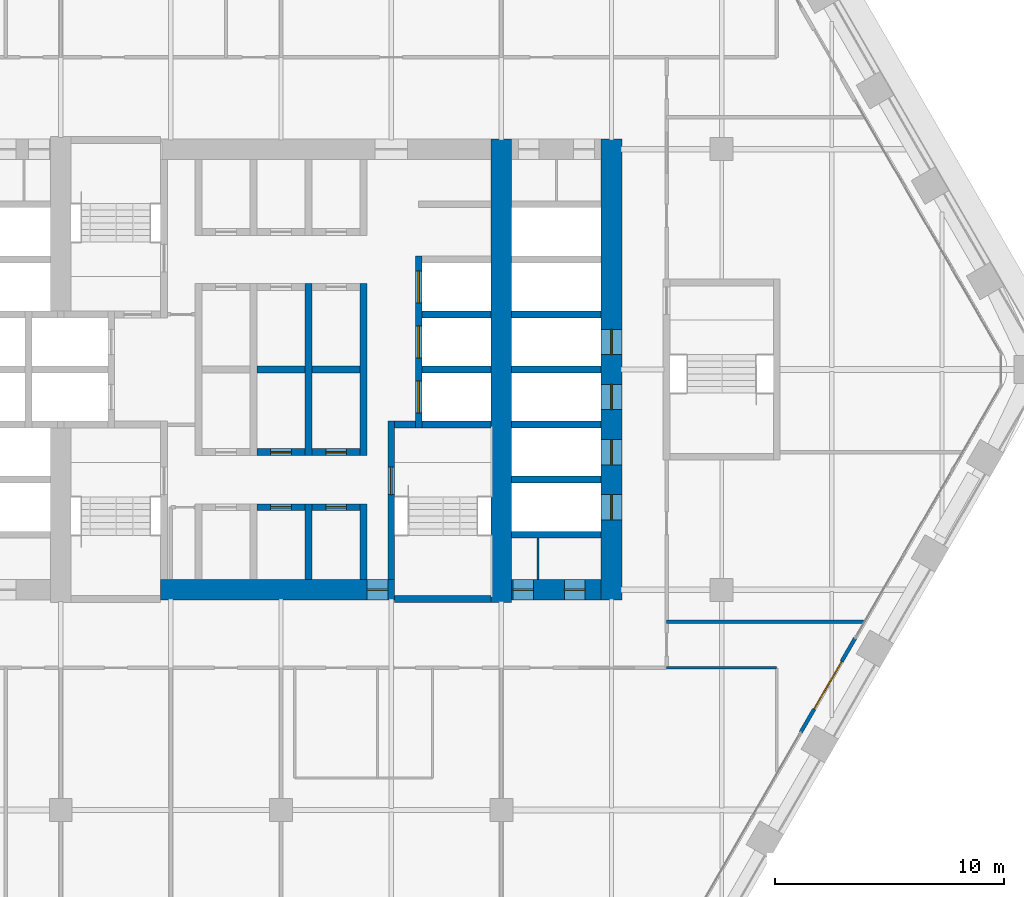
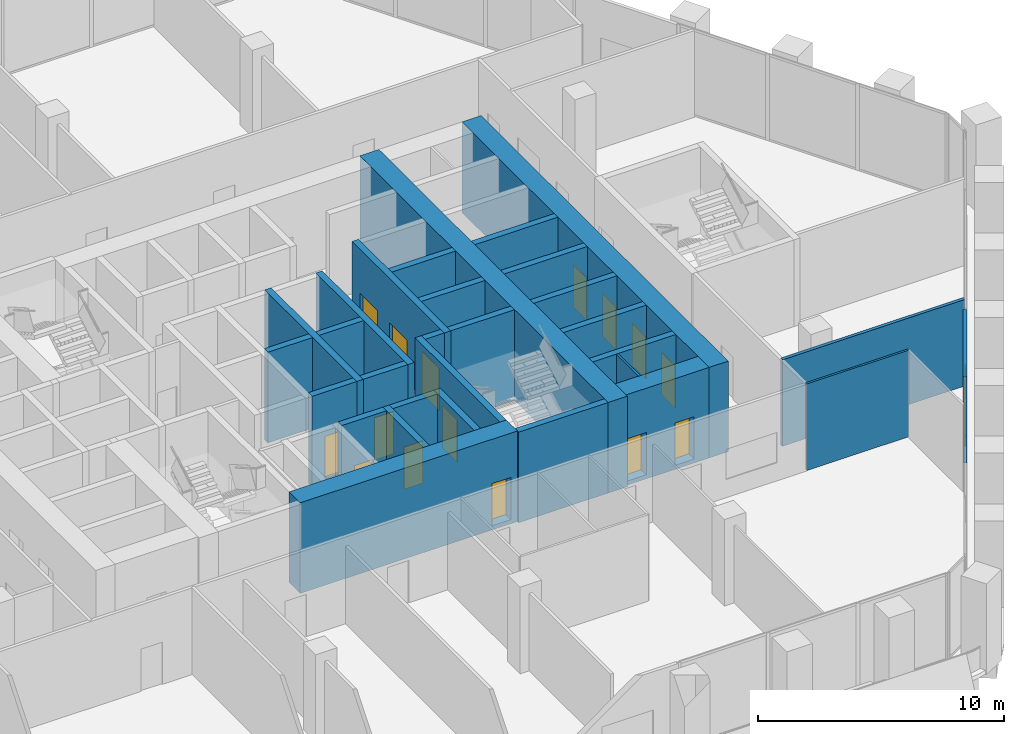
# One storey, part 14 of 22: 30 walls, 16 doors, 16 openings.
"""IFC4 building model written with IfcOpenShell, lengths in metres."""

from ifc_helpers import new_model, si_unit, direction, frame, frame_2d, origin, place, context, subcontext, project, spatial, rectangle, extrude, material, layer, layer_set, type_object, element, fill, save


model = new_model("IFC4")

# Units and contexts
model_context = context("Model", 3, precision=1e-05, world=origin(), true_north=direction((0.0, 1.0)))
body_context = subcontext(model_context, "Body", "Model", "MODEL_VIEW")
ifc_project = project(units=[si_unit("LENGTHUNIT", "METRE"), si_unit("AREAUNIT", "SQUARE_METRE"), si_unit("VOLUMEUNIT", "CUBIC_METRE"), si_unit("PLANEANGLEUNIT", "RADIAN"), si_unit("MASSUNIT", "GRAM", prefix="KILO")], contexts=[model_context])

# Site, building, storey
site_placement = place(None, origin())
site = spatial("IfcSite", under=ifc_project, at=site_placement, CompositionType="ELEMENT")
building_placement = place(site_placement, origin())
building = spatial("IfcBuilding", under=site, at=building_placement, Name="Kolab Exchange Tower", CompositionType="ELEMENT")
storey_placement = place(building_placement, frame((0.0, 0.0, 82.39990234375)))
storey = spatial("IfcBuildingStorey", under=building, at=storey_placement, Name="L15", CompositionType="ELEMENT", Elevation=82.39990234375)

# Wall, opening, door
ifc_material_1 = material(Name="Concrete C70/85", Category="concrete")
ifc_layer_1 = layer(ifc_material_1, 0.89990234375)
ifc_layer_set_1 = layer_set([ifc_layer_1], Name="Concrete C70/85")
wall_type_1 = type_object("IfcWallType", Name="CORE WALL 900 C70/85", PredefinedType="SHEAR", material=ifc_layer_set_1)
wall_1_placement = place(storey_placement, frame((-5.25, -9.60009765625, -0.199951171875), z_axis=(0.0, 0.0, 1.0), x_axis=(1.0, 0.0, 0.0)))
wall_1 = element("IfcWall", 1, at=wall_1_placement, inside=storey, type_object=wall_type_1, Name="wall/L15/core/003", PredefinedType="SHEAR", context=body_context, shape_type="SweptSolid", body=[
    extrude(rectangle(XDim=10.199951171875, YDim=0.89990234375, at=frame_2d((5.10009765625, 0.0))), origin(), (0.0, 0.0, 1.0), 4.5),
])
opening_1_placement = place(wall_1_placement, frame((9.0, 0.0, 0.199951171875)))
opening_1 = element("IfcOpeningElement", 2, at=opening_1_placement, cuts=wall_1, Name="Opening D6-216", PredefinedType="OPENING", context=body_context, shape_type="SweptSolid", body=[
    extrude(rectangle(XDim=0.89990234375, YDim=2.10009765625, at=frame_2d((0.449951171875, 1.050048828125))), frame((0.0, 0.4599609375, 0.0), z_axis=(0.0, -1.0, 0.0), x_axis=(1.0, 0.0, 0.0)), (0.0, 0.0, 1.0), 0.919921875),
])
ifc_material_2 = material(Name="Steel S235", Category="steel")
door_type_1 = type_object("IfcDoorType", Name="CORE DOOR 900 EI 120", OperationType="SINGLE_SWING_LEFT", PredefinedType="DOOR", material=ifc_material_2)
door_1_placement = place(opening_1_placement, origin())
door_1 = element("IfcDoor", 3, at=door_1_placement, inside=storey, type_object=door_type_1, Name="Core lobby door", OperationType="SINGLE_SWING_LEFT", OverallHeight=2.10009765625, OverallWidth=0.89990234375, PredefinedType="DOOR", context=body_context, shape_type="SweptSolid", body=[
    extrude(rectangle(XDim=0.89990234375, YDim=2.10009765625, at=frame_2d((0.449951171875, 1.050048828125))), frame((0.0, 0.02490234375, 0.0), z_axis=(0.0, -1.0, 0.0), x_axis=(1.0, 0.0, 0.0)), (0.0, 0.0, 1.0), 0.050048828125),
])
fill(opening_1, door_1)

# Wall, openings, doors
wall_2_placement = place(storey_placement, frame((10.050048828125, -9.60009765625, -0.199951171875), z_axis=(0.0, 0.0, 1.0), x_axis=(1.0, 0.0, 0.0)))
wall_2 = element("IfcWall", 4, at=wall_2_placement, inside=storey, type_object=wall_type_1, Name="wall/L15/core/004", PredefinedType="SHEAR", context=body_context, shape_type="SweptSolid", body=[
    extrude(rectangle(XDim=3.89990234375, YDim=0.89990234375, at=frame_2d((1.949951171875, 0.0))), origin(), (0.0, 0.0, 1.0), 4.5),
])
opening_2_placement = place(wall_2_placement, frame((0.050048828125, 0.0, 0.199951171875)))
opening_2 = element("IfcOpeningElement", 5, at=opening_2_placement, cuts=wall_2, Name="Opening D6-219", PredefinedType="OPENING", context=body_context, shape_type="SweptSolid", body=[
    extrude(rectangle(XDim=0.89990234375, YDim=2.10009765625, at=frame_2d((0.449951171875, 1.050048828125))), frame((0.0, 0.4599609375, 0.0), z_axis=(0.0, -1.0, 0.0), x_axis=(1.0, 0.0, 0.0)), (0.0, 0.0, 1.0), 0.919921875),
])
opening_3_placement = place(wall_2_placement, frame((2.300048828125, 0.0, 0.199951171875)))
opening_3 = element("IfcOpeningElement", 6, at=opening_3_placement, cuts=wall_2, Name="Opening D6-220", PredefinedType="OPENING", context=body_context, shape_type="SweptSolid", body=[
    extrude(rectangle(XDim=0.89990234375, YDim=2.10009765625, at=frame_2d((0.449951171875, 1.050048828125))), frame((0.0, 0.4599609375, 0.0), z_axis=(0.0, -1.0, 0.0), x_axis=(1.0, 0.0, 0.0)), (0.0, 0.0, 1.0), 0.919921875),
])
door_2_placement = place(opening_2_placement, origin())
door_2 = element("IfcDoor", 7, at=door_2_placement, inside=storey, type_object=door_type_1, Name="Service room door", OperationType="SINGLE_SWING_RIGHT", OverallHeight=2.10009765625, OverallWidth=0.89990234375, PredefinedType="DOOR", context=body_context, shape_type="SweptSolid", body=[
    extrude(rectangle(XDim=0.89990234375, YDim=2.10009765625, at=frame_2d((0.449951171875, 1.050048828125))), frame((0.0, 0.02490234375, 0.0), z_axis=(0.0, -1.0, 0.0), x_axis=(1.0, 0.0, 0.0)), (0.0, 0.0, 1.0), 0.050048828125),
])
fill(opening_2, door_2)
door_3_placement = place(opening_3_placement, origin())
door_3 = element("IfcDoor", 8, at=door_3_placement, inside=storey, type_object=door_type_1, Name="Service room door", OperationType="SINGLE_SWING_RIGHT", OverallHeight=2.10009765625, OverallWidth=0.89990234375, PredefinedType="DOOR", context=body_context, shape_type="SweptSolid", body=[
    extrude(rectangle(XDim=0.89990234375, YDim=2.10009765625, at=frame_2d((0.449951171875, 1.050048828125))), frame((0.0, 0.02490234375, 0.0), z_axis=(0.0, -1.0, 0.0), x_axis=(1.0, 0.0, 0.0)), (0.0, 0.0, 1.0), 0.050048828125),
])
fill(opening_3, door_3)

# Wall
wall_3_placement = place(storey_placement, frame((9.60009765625, -10.14990234375, -0.199951171875), z_axis=(0.0, 0.0, 1.0), x_axis=(0.0, 1.0, 0.0)))
element("IfcWall", 9, at=wall_3_placement, inside=storey, type_object=wall_type_1, Name="wall/L15/core/080", PredefinedType="SHEAR", context=body_context, shape_type="SweptSolid", body=[
    extrude(rectangle(XDim=20.199951171875, YDim=0.89990234375, at=frame_2d((10.10009765625, 0.0))), origin(), (0.0, 0.0, 1.0), 4.5),
])

# Wall, openings, doors
wall_4_placement = place(storey_placement, frame((14.39990234375, -10.050048828125, -0.199951171875), z_axis=(0.0, 0.0, 1.0), x_axis=(0.0, 1.0, 0.0)))
wall_4 = element("IfcWall", 10, at=wall_4_placement, inside=storey, type_object=wall_type_1, Name="wall/L15/core/081", PredefinedType="SHEAR", context=body_context, shape_type="SweptSolid", body=[
    extrude(rectangle(XDim=20.10009765625, YDim=0.89990234375, at=frame_2d((10.050048828125, 0.0))), origin(), (0.0, 0.0, 1.0), 4.5),
])
opening_4_placement = place(wall_4_placement, frame((3.5, 0.0, 0.199951171875)))
opening_4 = element("IfcOpeningElement", 11, at=opening_4_placement, cuts=wall_4, Name="Opening LD1-069", PredefinedType="OPENING", context=body_context, shape_type="SweptSolid", body=[
    extrude(rectangle(XDim=1.10009765625, YDim=2.10009765625, at=frame_2d((0.550048828125, 1.050048828125))), frame((0.0, 0.4599609375, 0.0), z_axis=(0.0, -1.0, 0.0), x_axis=(1.0, 0.0, 0.0)), (0.0, 0.0, 1.0), 0.919921875),
])
opening_5_placement = place(wall_4_placement, frame((5.89990234375, 0.0, 0.199951171875)))
opening_5 = element("IfcOpeningElement", 12, at=opening_5_placement, cuts=wall_4, Name="Opening LD1-070", PredefinedType="OPENING", context=body_context, shape_type="SweptSolid", body=[
    extrude(rectangle(XDim=1.10009765625, YDim=2.10009765625, at=frame_2d((0.550048828125, 1.050048828125))), frame((0.0, 0.4599609375, 0.0), z_axis=(0.0, -1.0, 0.0), x_axis=(1.0, 0.0, 0.0)), (0.0, 0.0, 1.0), 0.919921875),
])
opening_6_placement = place(wall_4_placement, frame((8.300048828125, 0.0, 0.199951171875)))
opening_6 = element("IfcOpeningElement", 13, at=opening_6_placement, cuts=wall_4, Name="Opening LD1-071", PredefinedType="OPENING", context=body_context, shape_type="SweptSolid", body=[
    extrude(rectangle(XDim=1.10009765625, YDim=2.10009765625, at=frame_2d((0.550048828125, 1.050048828125))), frame((0.0, 0.4599609375, 0.0), z_axis=(0.0, -1.0, 0.0), x_axis=(1.0, 0.0, 0.0)), (0.0, 0.0, 1.0), 0.919921875),
])
opening_7_placement = place(wall_4_placement, frame((10.699951171875, 0.0, 0.199951171875)))
opening_7 = element("IfcOpeningElement", 14, at=opening_7_placement, cuts=wall_4, Name="Opening LD1-072", PredefinedType="OPENING", context=body_context, shape_type="SweptSolid", body=[
    extrude(rectangle(XDim=1.10009765625, YDim=2.10009765625, at=frame_2d((0.550048828125, 1.050048828125))), frame((0.0, 0.4599609375, 0.0), z_axis=(0.0, -1.0, 0.0), x_axis=(1.0, 0.0, 0.0)), (0.0, 0.0, 1.0), 0.919921875),
])
ifc_material_3 = material(Name="Stainless steel 316", Category="steel")
door_type_2 = type_object("IfcDoorType", Name="LANDING DOOR 1100 PASSENGER", OperationType="DOUBLE_DOOR_SLIDING", PredefinedType="DOOR", material=ifc_material_3)
door_4_placement = place(opening_4_placement, origin())
door_4 = element("IfcDoor", 15, at=door_4_placement, inside=storey, type_object=door_type_2, Name="Landing door LR1", OperationType="DOUBLE_DOOR_SLIDING", OverallHeight=2.10009765625, OverallWidth=1.10009765625, PredefinedType="DOOR", context=body_context, shape_type="SweptSolid", body=[
    extrude(rectangle(XDim=1.10009765625, YDim=2.10009765625, at=frame_2d((0.550048828125, 1.050048828125))), frame((0.0, 0.02490234375, 0.0), z_axis=(0.0, -1.0, 0.0), x_axis=(1.0, 0.0, 0.0)), (0.0, 0.0, 1.0), 0.050048828125),
])
fill(opening_4, door_4)
door_5_placement = place(opening_5_placement, origin())
door_5 = element("IfcDoor", 16, at=door_5_placement, inside=storey, type_object=door_type_2, Name="Landing door LR2", OperationType="DOUBLE_DOOR_SLIDING", OverallHeight=2.10009765625, OverallWidth=1.10009765625, PredefinedType="DOOR", context=body_context, shape_type="SweptSolid", body=[
    extrude(rectangle(XDim=1.10009765625, YDim=2.10009765625, at=frame_2d((0.550048828125, 1.050048828125))), frame((0.0, 0.02490234375, 0.0), z_axis=(0.0, -1.0, 0.0), x_axis=(1.0, 0.0, 0.0)), (0.0, 0.0, 1.0), 0.050048828125),
])
fill(opening_5, door_5)
door_6_placement = place(opening_6_placement, origin())
door_6 = element("IfcDoor", 17, at=door_6_placement, inside=storey, type_object=door_type_2, Name="Landing door LR3", OperationType="DOUBLE_DOOR_SLIDING", OverallHeight=2.10009765625, OverallWidth=1.10009765625, PredefinedType="DOOR", context=body_context, shape_type="SweptSolid", body=[
    extrude(rectangle(XDim=1.10009765625, YDim=2.10009765625, at=frame_2d((0.550048828125, 1.050048828125))), frame((0.0, 0.02490234375, 0.0), z_axis=(0.0, -1.0, 0.0), x_axis=(1.0, 0.0, 0.0)), (0.0, 0.0, 1.0), 0.050048828125),
])
fill(opening_6, door_6)
door_7_placement = place(opening_7_placement, origin())
door_7 = element("IfcDoor", 18, at=door_7_placement, inside=storey, type_object=door_type_2, Name="Landing door LR4", OperationType="DOUBLE_DOOR_SLIDING", OverallHeight=2.10009765625, OverallWidth=1.10009765625, PredefinedType="DOOR", context=body_context, shape_type="SweptSolid", body=[
    extrude(rectangle(XDim=1.10009765625, YDim=2.10009765625, at=frame_2d((0.550048828125, 1.050048828125))), frame((0.0, 0.02490234375, 0.0), z_axis=(0.0, -1.0, 0.0), x_axis=(1.0, 0.0, 0.0)), (0.0, 0.0, 1.0), 0.050048828125),
])
fill(opening_7, door_7)

# Wall, opening, door
ifc_material_4 = material(Name="Aluminium EN AW-6063 T6", Category="aluminium")
ifc_layer_2 = layer(ifc_material_4, 0.159912109375)
ifc_layer_set_2 = layer_set([ifc_layer_2], Name="Aluminium EN AW-6063 T6")
wall_type_2 = type_object("IfcWallType", Name="DOOR SURROUND WALL 160 ALUMINIUM FRAMED", PredefinedType="PARTITIONING", material=ifc_layer_set_2)
wall_5_placement = place(storey_placement, frame((25.0166015625, -11.706787109375, 0.0), z_axis=(0.0, 0.0, 1.0), x_axis=(-0.499978080042, -0.866038058908, 0.0)))
wall_5 = element("IfcWall", 19, at=wall_5_placement, inside=storey, type_object=wall_type_2, Name="Door surround wall", PredefinedType="PARTITIONING", context=body_context, shape_type="SweptSolid", body=[
    extrude(rectangle(XDim=4.739990234375, YDim=0.159912109375, at=frame_2d((2.3701171875, 0.0))), origin(), (0.0, 0.0, 1.0), 4.300048828125),
])
opening_8_placement = place(wall_5_placement, frame((1.169921875, 0.0, 0.0)))
opening_8 = element("IfcOpeningElement", 20, at=opening_8_placement, cuts=wall_5, Name="Opening GD1-036", PredefinedType="OPENING", context=body_context, shape_type="SweptSolid", body=[
    extrude(rectangle(XDim=2.39990234375, YDim=2.39990234375, at=frame_2d((1.199951171875, 1.199951171875))), frame((0.0, 0.08984375, 0.0), z_axis=(0.0, -1.0, 0.0), x_axis=(1.0, 0.0, 0.0)), (0.0, 0.0, 1.0), 0.179931640625),
])
door_type_3 = type_object("IfcDoorType", Name="LOGGIA SLIDING GLASS DOOR 2400 X 2400", OperationType="DOUBLE_DOOR_SINGLE_SWING", PredefinedType="DOOR", material=ifc_material_4)
door_8_placement = place(opening_8_placement, origin())
door_8 = element("IfcDoor", 21, at=door_8_placement, inside=storey, type_object=door_type_3, Name="Loggia door", OperationType="DOUBLE_DOOR_SLIDING", OverallHeight=2.39990234375, OverallWidth=2.39990234375, PredefinedType="DOOR", context=body_context, shape_type="SweptSolid", body=[
    extrude(rectangle(XDim=2.39990234375, YDim=2.39990234375, at=frame_2d((1.199951171875, 1.199951171875))), frame((0.0, 0.02490234375, 0.0), z_axis=(0.0, -1.0, 0.0), x_axis=(1.0, 0.0, 0.0)), (0.0, 0.0, 1.0), 0.050048828125),
])
fill(opening_8, door_8)

# Wall
ifc_material_5 = material(Name="Concrete C50/60", Category="concrete")
ifc_layer_3 = layer(ifc_material_5, 0.300048828125)
ifc_layer_set_3 = layer_set([ifc_layer_3], Name="Concrete C50/60")
wall_type_3 = type_object("IfcWallType", Name="LIFT SHAFT WALL 300 C50/60", PredefinedType="STANDARD", material=ifc_layer_set_3)
wall_6_placement = place(storey_placement, frame((10.050048828125, -7.199951171875, -0.199951171875), z_axis=(0.0, 0.0, 1.0), x_axis=(1.0, 0.0, 0.0)))
element("IfcWall", 22, at=wall_6_placement, inside=storey, type_object=wall_type_3, Name="wall/L15/core/006", PredefinedType="STANDARD", context=body_context, shape_type="SweptSolid", body=[
    extrude(rectangle(XDim=3.89990234375, YDim=0.300048828125, at=frame_2d((1.949951171875, 0.0))), origin(), (0.0, 0.0, 1.0), 4.5),
])

# Wall, opening, door
wall_7_placement = place(storey_placement, frame((-1.050048828125, -6.0, -0.199951171875), z_axis=(0.0, 0.0, 1.0), x_axis=(1.0, 0.0, 0.0)))
wall_7 = element("IfcWall", 23, at=wall_7_placement, inside=storey, type_object=wall_type_3, Name="wall/L15/core/008", PredefinedType="STANDARD", context=body_context, shape_type="SweptSolid", body=[
    extrude(rectangle(XDim=2.10009765625, YDim=0.300048828125, at=frame_2d((1.050048828125, 0.0))), origin(), (0.0, 0.0, 1.0), 4.5),
])
opening_9_placement = place(wall_7_placement, frame((0.60009765625, 0.0, 0.199951171875)))
opening_9 = element("IfcOpeningElement", 24, at=opening_9_placement, cuts=wall_7, Name="Opening D6-201", PredefinedType="OPENING", context=body_context, shape_type="SweptSolid", body=[
    extrude(rectangle(XDim=0.89990234375, YDim=2.10009765625, at=frame_2d((0.449951171875, 1.050048828125))), frame((0.0, 0.16015625, 0.0), z_axis=(0.0, -1.0, 0.0), x_axis=(1.0, 0.0, 0.0)), (0.0, 0.0, 1.0), 0.320068359375),
])
door_9_placement = place(opening_9_placement, frame((0.89990234375, 0.0, 0.0), z_axis=(0.0, 0.0, 1.0), x_axis=(-1.0, 0.0, 0.0)))
door_9 = element("IfcDoor", 25, at=door_9_placement, inside=storey, type_object=door_type_1, Name="Service room door", OperationType="SINGLE_SWING_LEFT", OverallHeight=2.10009765625, OverallWidth=0.89990234375, PredefinedType="DOOR", context=body_context, shape_type="SweptSolid", body=[
    extrude(rectangle(XDim=0.89990234375, YDim=2.10009765625, at=frame_2d((0.449951171875, 1.050048828125))), frame((0.0, 0.02490234375, 0.0), z_axis=(0.0, -1.0, 0.0), x_axis=(1.0, 0.0, 0.0)), (0.0, 0.0, 1.0), 0.050048828125),
])
fill(opening_9, door_9)

wall_8_placement = place(storey_placement, frame((1.35009765625, -6.0, -0.199951171875), z_axis=(0.0, 0.0, 1.0), x_axis=(1.0, 0.0, 0.0)))
wall_8 = element("IfcWall", 26, at=wall_8_placement, inside=storey, type_object=wall_type_3, Name="wall/L15/core/009", PredefinedType="STANDARD", context=body_context, shape_type="SweptSolid", body=[
    extrude(rectangle(XDim=2.099853515625, YDim=0.300048828125, at=frame_2d((1.0498046875, 0.0))), origin(), (0.0, 0.0, 1.0), 4.5),
])
opening_10_placement = place(wall_8_placement, frame((0.60009765625, 0.0, 0.199951171875)))
opening_10 = element("IfcOpeningElement", 27, at=opening_10_placement, cuts=wall_8, Name="Opening D6-200", PredefinedType="OPENING", context=body_context, shape_type="SweptSolid", body=[
    extrude(rectangle(XDim=0.89990234375, YDim=2.10009765625, at=frame_2d((0.449951171875, 1.050048828125))), frame((0.0, 0.16015625, 0.0), z_axis=(0.0, -1.0, 0.0), x_axis=(1.0, 0.0, 0.0)), (0.0, 0.0, 1.0), 0.320068359375),
])
door_10_placement = place(opening_10_placement, frame((0.89990234375, 0.0, 0.0), z_axis=(0.0, 0.0, 1.0), x_axis=(-1.0, 0.0, 0.0)))
door_10 = element("IfcDoor", 28, at=door_10_placement, inside=storey, type_object=door_type_1, Name="Service room door", OperationType="SINGLE_SWING_RIGHT", OverallHeight=2.10009765625, OverallWidth=0.89990234375, PredefinedType="DOOR", context=body_context, shape_type="SweptSolid", body=[
    extrude(rectangle(XDim=0.89990234375, YDim=2.10009765625, at=frame_2d((0.449951171875, 1.050048828125))), frame((0.0, 0.02490234375, 0.0), z_axis=(0.0, -1.0, 0.0), x_axis=(1.0, 0.0, 0.0)), (0.0, 0.0, 1.0), 0.050048828125),
])
fill(opening_10, door_10)

# Wall
wall_9_placement = place(storey_placement, frame((10.050048828125, -4.800048828125, -0.199951171875), z_axis=(0.0, 0.0, 1.0), x_axis=(1.0, 0.0, 0.0)))
element("IfcWall", 29, at=wall_9_placement, inside=storey, type_object=wall_type_3, Name="wall/L15/core/011", PredefinedType="STANDARD", context=body_context, shape_type="SweptSolid", body=[
    extrude(rectangle(XDim=3.89990234375, YDim=0.300048828125, at=frame_2d((1.949951171875, 0.0))), origin(), (0.0, 0.0, 1.0), 4.5),
])

# Wall, opening, door
wall_10_placement = place(storey_placement, frame((-1.050048828125, -3.60009765625, -0.199951171875), z_axis=(0.0, 0.0, 1.0), x_axis=(1.0, 0.0, 0.0)))
wall_10 = element("IfcWall", 30, at=wall_10_placement, inside=storey, type_object=wall_type_3, Name="wall/L15/core/015", PredefinedType="STANDARD", context=body_context, shape_type="SweptSolid", body=[
    extrude(rectangle(XDim=2.10009765625, YDim=0.300048828125, at=frame_2d((1.050048828125, 0.0))), origin(), (0.0, 0.0, 1.0), 4.5),
])
opening_11_placement = place(wall_10_placement, frame((0.60009765625, 0.0, 0.199951171875)))
opening_11 = element("IfcOpeningElement", 31, at=opening_11_placement, cuts=wall_10, Name="Opening D6-215", PredefinedType="OPENING", context=body_context, shape_type="SweptSolid", body=[
    extrude(rectangle(XDim=0.89990234375, YDim=2.10009765625, at=frame_2d((0.449951171875, 1.050048828125))), frame((0.0, 0.16015625, 0.0), z_axis=(0.0, -1.0, 0.0), x_axis=(1.0, 0.0, 0.0)), (0.0, 0.0, 1.0), 0.320068359375),
])
door_11_placement = place(opening_11_placement, origin())
door_11 = element("IfcDoor", 32, at=door_11_placement, inside=storey, type_object=door_type_1, Name="Service room door", OperationType="SINGLE_SWING_LEFT", OverallHeight=2.10009765625, OverallWidth=0.89990234375, PredefinedType="DOOR", context=body_context, shape_type="SweptSolid", body=[
    extrude(rectangle(XDim=0.89990234375, YDim=2.10009765625, at=frame_2d((0.449951171875, 1.050048828125))), frame((0.0, 0.02490234375, 0.0), z_axis=(0.0, -1.0, 0.0), x_axis=(1.0, 0.0, 0.0)), (0.0, 0.0, 1.0), 0.050048828125),
])
fill(opening_11, door_11)

wall_11_placement = place(storey_placement, frame((1.35009765625, -3.60009765625, -0.199951171875), z_axis=(0.0, 0.0, 1.0), x_axis=(1.0, 0.0, 0.0)))
wall_11 = element("IfcWall", 33, at=wall_11_placement, inside=storey, type_object=wall_type_3, Name="wall/L15/core/016", PredefinedType="STANDARD", context=body_context, shape_type="SweptSolid", body=[
    extrude(rectangle(XDim=2.099853515625, YDim=0.300048828125, at=frame_2d((1.0498046875, 0.0))), origin(), (0.0, 0.0, 1.0), 4.5),
])
opening_12_placement = place(wall_11_placement, frame((0.60009765625, 0.0, 0.199951171875)))
opening_12 = element("IfcOpeningElement", 34, at=opening_12_placement, cuts=wall_11, Name="Opening D6-197", PredefinedType="OPENING", context=body_context, shape_type="SweptSolid", body=[
    extrude(rectangle(XDim=0.89990234375, YDim=2.10009765625, at=frame_2d((0.449951171875, 1.050048828125))), frame((0.0, 0.16015625, 0.0), z_axis=(0.0, -1.0, 0.0), x_axis=(1.0, 0.0, 0.0)), (0.0, 0.0, 1.0), 0.320068359375),
])
door_12_placement = place(opening_12_placement, origin())
door_12 = element("IfcDoor", 35, at=door_12_placement, inside=storey, type_object=door_type_1, Name="Service room door", OperationType="SINGLE_SWING_RIGHT", OverallHeight=2.10009765625, OverallWidth=0.89990234375, PredefinedType="DOOR", context=body_context, shape_type="SweptSolid", body=[
    extrude(rectangle(XDim=0.89990234375, YDim=2.10009765625, at=frame_2d((0.449951171875, 1.050048828125))), frame((0.0, 0.02490234375, 0.0), z_axis=(0.0, -1.0, 0.0), x_axis=(1.0, 0.0, 0.0)), (0.0, 0.0, 1.0), 0.050048828125),
])
fill(opening_12, door_12)

# Walls
wall_12_placement = place(storey_placement, frame((10.050048828125, -2.39990234375, -0.199951171875), z_axis=(0.0, 0.0, 1.0), x_axis=(1.0, 0.0, 0.0)))
element("IfcWall", 36, at=wall_12_placement, inside=storey, type_object=wall_type_3, Name="wall/L15/core/023", PredefinedType="STANDARD", context=body_context, shape_type="SweptSolid", body=[
    extrude(rectangle(XDim=3.89990234375, YDim=0.300048828125, at=frame_2d((1.949951171875, 0.0))), origin(), (0.0, 0.0, 1.0), 4.5),
])
wall_13_placement = place(storey_placement, frame((-1.050048828125, 0.0, -0.199951171875), z_axis=(0.0, 0.0, 1.0), x_axis=(1.0, 0.0, 0.0)))
element("IfcWall", 37, at=wall_13_placement, inside=storey, type_object=wall_type_3, Name="wall/L15/core/027", PredefinedType="STANDARD", context=body_context, shape_type="SweptSolid", body=[
    extrude(rectangle(XDim=2.10009765625, YDim=0.300048828125, at=frame_2d((1.050048828125, 0.0))), origin(), (0.0, 0.0, 1.0), 4.5),
])
wall_14_placement = place(storey_placement, frame((1.35009765625, 0.0, -0.199951171875), z_axis=(0.0, 0.0, 1.0), x_axis=(1.0, 0.0, 0.0)))
element("IfcWall", 38, at=wall_14_placement, inside=storey, type_object=wall_type_3, Name="wall/L15/core/028", PredefinedType="STANDARD", context=body_context, shape_type="SweptSolid", body=[
    extrude(rectangle(XDim=2.099853515625, YDim=0.300048828125, at=frame_2d((1.0498046875, 0.0))), origin(), (0.0, 0.0, 1.0), 4.5),
])
wall_15_placement = place(storey_placement, frame((6.14990234375, 0.0, -0.199951171875), z_axis=(0.0, 0.0, 1.0), x_axis=(1.0, 0.0, 0.0)))
element("IfcWall", 39, at=wall_15_placement, inside=storey, type_object=wall_type_3, Name="wall/L15/core/029", PredefinedType="STANDARD", context=body_context, shape_type="SweptSolid", body=[
    extrude(rectangle(XDim=3.0, YDim=0.300048828125, at=frame_2d((1.5, 0.0))), origin(), (0.0, 0.0, 1.0), 4.5),
])
wall_16_placement = place(storey_placement, frame((10.050048828125, 0.0, -0.199951171875), z_axis=(0.0, 0.0, 1.0), x_axis=(1.0, 0.0, 0.0)))
element("IfcWall", 40, at=wall_16_placement, inside=storey, type_object=wall_type_3, Name="wall/L15/core/030", PredefinedType="STANDARD", context=body_context, shape_type="SweptSolid", body=[
    extrude(rectangle(XDim=3.89990234375, YDim=0.300048828125, at=frame_2d((1.949951171875, 0.0))), origin(), (0.0, 0.0, 1.0), 4.5),
])
wall_17_placement = place(storey_placement, frame((6.14990234375, 2.39990234375, -0.199951171875), z_axis=(0.0, 0.0, 1.0), x_axis=(1.0, 0.0, 0.0)))
element("IfcWall", 41, at=wall_17_placement, inside=storey, type_object=wall_type_3, Name="wall/L15/core/035", PredefinedType="STANDARD", context=body_context, shape_type="SweptSolid", body=[
    extrude(rectangle(XDim=3.0, YDim=0.300048828125, at=frame_2d((1.5, 0.0))), origin(), (0.0, 0.0, 1.0), 4.5),
])
wall_18_placement = place(storey_placement, frame((10.050048828125, 2.39990234375, -0.199951171875), z_axis=(0.0, 0.0, 1.0), x_axis=(1.0, 0.0, 0.0)))
element("IfcWall", 42, at=wall_18_placement, inside=storey, type_object=wall_type_3, Name="wall/L15/core/036", PredefinedType="STANDARD", context=body_context, shape_type="SweptSolid", body=[
    extrude(rectangle(XDim=3.89990234375, YDim=0.300048828125, at=frame_2d((1.949951171875, 0.0))), origin(), (0.0, 0.0, 1.0), 4.5),
])
wall_19_placement = place(storey_placement, frame((1.199951171875, -9.14990234375, -0.199951171875), z_axis=(0.0, 0.0, 1.0), x_axis=(0.0, 1.0, 0.0)))
element("IfcWall", 43, at=wall_19_placement, inside=storey, type_object=wall_type_3, Name="wall/L15/core/072", PredefinedType="STANDARD", context=body_context, shape_type="SweptSolid", body=[
    extrude(rectangle(XDim=3.2998046875, YDim=0.300048828125, at=frame_2d((1.64990234375, 0.0))), origin(), (0.0, 0.0, 1.0), 4.5),
])
wall_20_placement = place(storey_placement, frame((1.199951171875, -3.75, -0.199951171875), z_axis=(0.0, 0.0, 1.0), x_axis=(0.0, 1.0, 0.0)))
element("IfcWall", 44, at=wall_20_placement, inside=storey, type_object=wall_type_3, Name="wall/L15/core/073", PredefinedType="STANDARD", context=body_context, shape_type="SweptSolid", body=[
    extrude(rectangle(XDim=7.5, YDim=0.300048828125, at=frame_2d((3.75, 0.0))), origin(), (0.0, 0.0, 1.0), 4.5),
])
wall_21_placement = place(storey_placement, frame((3.60009765625, -9.14990234375, -0.199951171875), z_axis=(0.0, 0.0, 1.0), x_axis=(0.0, 1.0, 0.0)))
element("IfcWall", 45, at=wall_21_placement, inside=storey, type_object=wall_type_3, Name="wall/L15/core/075", PredefinedType="STANDARD", context=body_context, shape_type="SweptSolid", body=[
    extrude(rectangle(XDim=3.2998046875, YDim=0.300048828125, at=frame_2d((1.64990234375, 0.0))), origin(), (0.0, 0.0, 1.0), 4.5),
])
wall_22_placement = place(storey_placement, frame((3.60009765625, -3.75, -0.199951171875), z_axis=(0.0, 0.0, 1.0), x_axis=(0.0, 1.0, 0.0)))
element("IfcWall", 46, at=wall_22_placement, inside=storey, type_object=wall_type_3, Name="wall/L15/core/076", PredefinedType="STANDARD", context=body_context, shape_type="SweptSolid", body=[
    extrude(rectangle(XDim=7.5, YDim=0.300048828125, at=frame_2d((3.75, 0.0))), origin(), (0.0, 0.0, 1.0), 4.5),
])

# Wall, openings, doors
wall_23_placement = place(storey_placement, frame((6.0, -2.550048828125, -0.199951171875), z_axis=(0.0, 0.0, 1.0), x_axis=(0.0, 1.0, 0.0)))
wall_23 = element("IfcWall", 47, at=wall_23_placement, inside=storey, type_object=wall_type_3, Name="wall/L15/core/079", PredefinedType="STANDARD", context=body_context, shape_type="SweptSolid", body=[
    extrude(rectangle(XDim=7.5, YDim=0.300048828125, at=frame_2d((3.75, 0.0))), origin(), (0.0, 0.0, 1.0), 4.5),
])
opening_13_placement = place(wall_23_placement, frame((0.64990234375, 0.0, 0.199951171875)))
opening_13 = element("IfcOpeningElement", 48, at=opening_13_placement, cuts=wall_23, Name="Opening LD3-025", PredefinedType="OPENING", context=body_context, shape_type="SweptSolid", body=[
    extrude(rectangle(XDim=1.39990234375, YDim=2.10009765625, at=frame_2d((0.699951171875, 1.050048828125))), frame((0.0, 0.16015625, 0.0), z_axis=(0.0, -1.0, 0.0), x_axis=(1.0, 0.0, 0.0)), (0.0, 0.0, 1.0), 0.320068359375),
])
opening_14_placement = place(wall_23_placement, frame((3.050048828125, 0.0, 0.199951171875)))
opening_14 = element("IfcOpeningElement", 49, at=opening_14_placement, cuts=wall_23, Name="Opening LD3-026", PredefinedType="OPENING", context=body_context, shape_type="SweptSolid", body=[
    extrude(rectangle(XDim=1.39990234375, YDim=2.10009765625, at=frame_2d((0.699951171875, 1.050048828125))), frame((0.0, 0.16015625, 0.0), z_axis=(0.0, -1.0, 0.0), x_axis=(1.0, 0.0, 0.0)), (0.0, 0.0, 1.0), 0.320068359375),
])
opening_15_placement = place(wall_23_placement, frame((5.449951171875, 0.0, 0.199951171875)))
opening_15 = element("IfcOpeningElement", 50, at=opening_15_placement, cuts=wall_23, Name="Opening LD3-027", PredefinedType="OPENING", context=body_context, shape_type="SweptSolid", body=[
    extrude(rectangle(XDim=1.39990234375, YDim=2.10009765625, at=frame_2d((0.699951171875, 1.050048828125))), frame((0.0, 0.16015625, 0.0), z_axis=(0.0, -1.0, 0.0), x_axis=(1.0, 0.0, 0.0)), (0.0, 0.0, 1.0), 0.320068359375),
])
door_type_4 = type_object("IfcDoorType", Name="LANDING DOOR 1400 SERVICE", OperationType="DOUBLE_DOOR_SLIDING", PredefinedType="DOOR", material=ifc_material_3)
door_13_placement = place(opening_13_placement, origin())
door_13 = element("IfcDoor", 51, at=door_13_placement, inside=storey, type_object=door_type_4, Name="Landing door SV1", OperationType="DOUBLE_DOOR_SLIDING", OverallHeight=2.10009765625, OverallWidth=1.39990234375, PredefinedType="DOOR", context=body_context, shape_type="SweptSolid", body=[
    extrude(rectangle(XDim=1.39990234375, YDim=2.10009765625, at=frame_2d((0.699951171875, 1.050048828125))), frame((0.0, 0.02490234375, 0.0), z_axis=(0.0, -1.0, 0.0), x_axis=(1.0, 0.0, 0.0)), (0.0, 0.0, 1.0), 0.050048828125),
])
fill(opening_13, door_13)
door_14_placement = place(opening_14_placement, origin())
door_14 = element("IfcDoor", 52, at=door_14_placement, inside=storey, type_object=door_type_4, Name="Landing door SV2", OperationType="DOUBLE_DOOR_SLIDING", OverallHeight=2.10009765625, OverallWidth=1.39990234375, PredefinedType="DOOR", context=body_context, shape_type="SweptSolid", body=[
    extrude(rectangle(XDim=1.39990234375, YDim=2.10009765625, at=frame_2d((0.699951171875, 1.050048828125))), frame((0.0, 0.02490234375, 0.0), z_axis=(0.0, -1.0, 0.0), x_axis=(1.0, 0.0, 0.0)), (0.0, 0.0, 1.0), 0.050048828125),
])
fill(opening_14, door_14)
door_15_placement = place(opening_15_placement, origin())
door_15 = element("IfcDoor", 53, at=door_15_placement, inside=storey, type_object=door_type_4, Name="Landing door SV3", OperationType="DOUBLE_DOOR_SLIDING", OverallHeight=2.10009765625, OverallWidth=1.39990234375, PredefinedType="DOOR", context=body_context, shape_type="SweptSolid", body=[
    extrude(rectangle(XDim=1.39990234375, YDim=2.10009765625, at=frame_2d((0.699951171875, 1.050048828125))), frame((0.0, 0.02490234375, 0.0), z_axis=(0.0, -1.0, 0.0), x_axis=(1.0, 0.0, 0.0)), (0.0, 0.0, 1.0), 0.050048828125),
])
fill(opening_15, door_15)

# Walls
ifc_material_6 = material(Name="Gypsum board", Category="gypsum")
ifc_layer_4 = layer(ifc_material_6, 0.10009765625)
ifc_layer_set_4 = layer_set([ifc_layer_4], Name="Gypsum board")
wall_type_4 = type_object("IfcWallType", Name="PARTITION 100", PredefinedType="PARTITIONING", material=ifc_layer_set_4)
wall_24_placement = place(storey_placement, frame((11.199951171875, -9.14990234375, 0.0), z_axis=(0.0, 0.0, 1.0), x_axis=(0.0, 1.0, 0.0)))
element("IfcWall", 54, at=wall_24_placement, inside=storey, type_object=wall_type_4, Name="Partition 005", PredefinedType="PARTITIONING", context=body_context, shape_type="SweptSolid", body=[
    extrude(rectangle(XDim=1.7998046875, YDim=0.10009765625, at=frame_2d((0.89990234375, 0.0))), origin(), (0.0, 0.0, 1.0), 4.300048828125),
])
wall_25_placement = place(storey_placement, frame((16.800048828125, -13.0, 0.0), z_axis=(0.0, 0.0, 1.0), x_axis=(1.0, 0.0, 0.0)))
element("IfcWall", 55, at=wall_25_placement, inside=storey, type_object=wall_type_4, Name="Partition 033", PredefinedType="PARTITIONING", context=body_context, shape_type="SweptSolid", body=[
    extrude(rectangle(XDim=4.800048828125, YDim=0.10009765625, at=frame_2d((2.39990234375, 0.0))), origin(), (0.0, 0.0, 1.0), 4.300048828125),
])
ifc_layer_5 = layer(ifc_material_6, 0.14990234375)
ifc_layer_set_5 = layer_set([ifc_layer_5], Name="Gypsum board")
wall_type_5 = type_object("IfcWallType", Name="PARTITION 150 FIRE-RATED", PredefinedType="PARTITIONING", material=ifc_layer_set_5)
wall_26_placement = place(storey_placement, frame((16.800048828125, -11.0, 0.0), z_axis=(0.0, 0.0, 1.0), x_axis=(1.0, 0.0, 0.0)))
element("IfcWall", 56, at=wall_26_placement, inside=storey, type_object=wall_type_5, Name="Partition 035", PredefinedType="PARTITIONING", context=body_context, shape_type="SweptSolid", body=[
    extrude(rectangle(XDim=8.578369140625, YDim=0.14990234375, at=frame_2d((4.2890625, 0.0))), origin(), (0.0, 0.0, 1.0), 4.300048828125),
])
ifc_layer_6 = layer(ifc_material_5, 0.300048828125)
ifc_layer_set_6 = layer_set([ifc_layer_6], Name="Concrete C50/60")
wall_type_6 = type_object("IfcWallType", Name="STAIR ENCLOSURE WALL 300 C50/60", PredefinedType="STANDARD", material=ifc_layer_set_6)
wall_27_placement = place(storey_placement, frame((4.949951171875, -10.0, -0.199951171875), z_axis=(0.0, 0.0, 1.0), x_axis=(1.0, 0.0, 0.0)))
element("IfcWall", 57, at=wall_27_placement, inside=storey, type_object=wall_type_6, Name="wall/L15/core/001", PredefinedType="STANDARD", context=body_context, shape_type="SweptSolid", body=[
    extrude(rectangle(XDim=4.199951171875, YDim=0.300048828125, at=frame_2d((2.10009765625, 0.0))), origin(), (0.0, 0.0, 1.0), 4.5),
])
wall_28_placement = place(storey_placement, frame((4.949951171875, -2.39990234375, -0.199951171875), z_axis=(0.0, 0.0, 1.0), x_axis=(1.0, 0.0, 0.0)))
element("IfcWall", 58, at=wall_28_placement, inside=storey, type_object=wall_type_6, Name="wall/L15/core/021", PredefinedType="STANDARD", context=body_context, shape_type="SweptSolid", body=[
    extrude(rectangle(XDim=0.900146484375, YDim=0.300048828125, at=frame_2d((0.4501953125, 0.0))), origin(), (0.0, 0.0, 1.0), 4.5),
])
wall_29_placement = place(storey_placement, frame((6.14990234375, -2.39990234375, -0.199951171875), z_axis=(0.0, 0.0, 1.0), x_axis=(1.0, 0.0, 0.0)))
element("IfcWall", 59, at=wall_29_placement, inside=storey, type_object=wall_type_6, Name="wall/L15/core/022", PredefinedType="STANDARD", context=body_context, shape_type="SweptSolid", body=[
    extrude(rectangle(XDim=3.0, YDim=0.300048828125, at=frame_2d((1.5, 0.0))), origin(), (0.0, 0.0, 1.0), 4.5),
])

# Wall, opening, door
wall_30_placement = place(storey_placement, frame((4.800048828125, -9.14990234375, -0.199951171875), z_axis=(0.0, 0.0, 1.0), x_axis=(0.0, 1.0, 0.0)))
wall_30 = element("IfcWall", 60, at=wall_30_placement, inside=storey, type_object=wall_type_6, Name="wall/L15/core/078", PredefinedType="STANDARD", context=body_context, shape_type="SweptSolid", body=[
    extrude(rectangle(XDim=6.89990234375, YDim=0.300048828125, at=frame_2d((3.449951171875, 0.0))), origin(), (0.0, 0.0, 1.0), 4.5),
])
opening_16_placement = place(wall_30_placement, frame((3.699951171875, 0.0, 0.199951171875)))
opening_16 = element("IfcOpeningElement", 61, at=opening_16_placement, cuts=wall_30, Name="Opening D4-045", PredefinedType="OPENING", context=body_context, shape_type="SweptSolid", body=[
    extrude(rectangle(XDim=1.199951171875, YDim=2.10009765625, at=frame_2d((0.60009765625, 1.050048828125))), frame((0.0, 0.16015625, 0.0), z_axis=(0.0, -1.0, 0.0), x_axis=(1.0, 0.0, 0.0)), (0.0, 0.0, 1.0), 0.320068359375),
])
door_type_5 = type_object("IfcDoorType", Name="STAIR DOOR 1200 EI 120", OperationType="SINGLE_SWING_LEFT", PredefinedType="DOOR", material=ifc_material_2)
door_16_placement = place(opening_16_placement, frame((1.199951171875, 0.0, 0.0), z_axis=(0.0, 0.0, 1.0), x_axis=(-1.0, 0.0, 0.0)))
door_16 = element("IfcDoor", 62, at=door_16_placement, inside=storey, type_object=door_type_5, Name="Stair 2 door", OperationType="SINGLE_SWING_RIGHT", OverallHeight=2.10009765625, OverallWidth=1.199951171875, PredefinedType="DOOR", context=body_context, shape_type="SweptSolid", body=[
    extrude(rectangle(XDim=1.199951171875, YDim=2.10009765625, at=frame_2d((0.60009765625, 1.050048828125))), frame((0.0, 0.02490234375, 0.0), z_axis=(0.0, -1.0, 0.0), x_axis=(1.0, 0.0, 0.0)), (0.0, 0.0, 1.0), 0.050048828125),
])
fill(opening_16, door_16)

save(model, "model.ifc")
